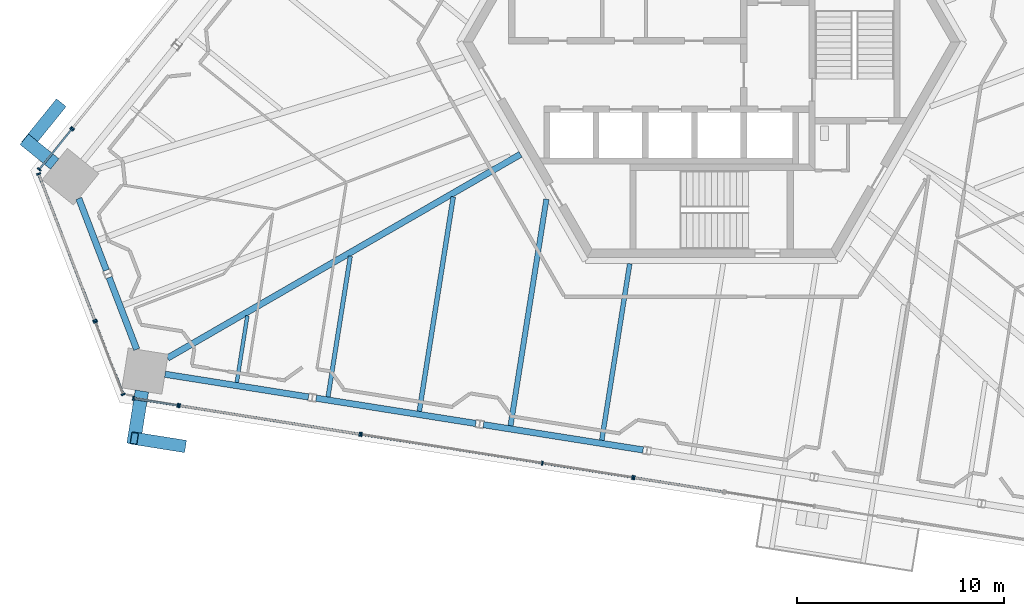
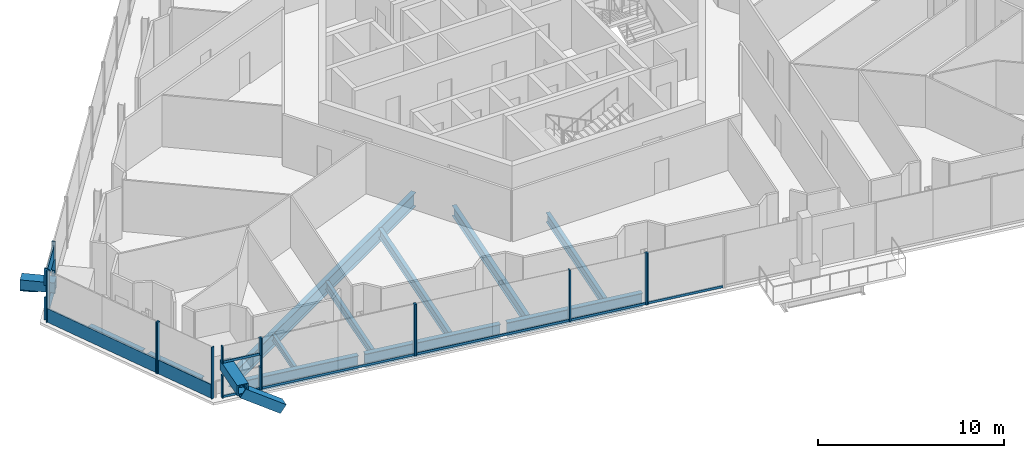
# One storey, part 4 of 23: 32 members, 11 beams, 10 elements without a shape of their own.
"""IFC4 building model written with IfcOpenShell, lengths in metres."""

from ifc_helpers import new_model, si_unit, direction, frame, origin, origin_2d, place, context, subcontext, project, spatial, rectangle, hollow_rectangle, i_section, extrude, source, transform, mapped, material, material_profile, profile_set, type_object, element, aggregate, save


model = new_model("IFC4")

# Units and contexts
model_context = context("Model", 3, precision=1e-05, world=origin(), true_north=direction((0.0, 1.0)))
body_context = subcontext(model_context, "Body", "Model", "MODEL_VIEW")
ifc_project = project(units=[si_unit("LENGTHUNIT", "METRE"), si_unit("AREAUNIT", "SQUARE_METRE"), si_unit("VOLUMEUNIT", "CUBIC_METRE"), si_unit("PLANEANGLEUNIT", "RADIAN"), si_unit("MASSUNIT", "GRAM", prefix="KILO")], contexts=[model_context])

# Site, building, storey
site_placement = place(None, origin())
site = spatial("IfcSite", under=ifc_project, at=site_placement, CompositionType="ELEMENT")
building_placement = place(site_placement, origin())
building = spatial("IfcBuilding", under=site, at=building_placement, Name="Triune Harvest Tower", CompositionType="ELEMENT")
storey_placement = place(building_placement, frame((0.0, 0.0, 171.300048828125)))
storey = spatial("IfcBuildingStorey", under=building, at=storey_placement, Name="L44", CompositionType="ELEMENT", Elevation=171.300048828125)

# Curtain wall, member
ifc_material_1 = material(Name="Aluminium bronze anodised", Category="aluminium")
curtain_wall_type_1 = type_object("IfcCurtainWallType", Name="CW-10 Balcony window wall with insulated spandrel infill", PredefinedType="NOTDEFINED", material=ifc_material_1)
curtain_wall_1_placement = place(storey_placement, origin())
curtain_wall_1 = element("IfcCurtainWall", 1, at=curtain_wall_1_placement, inside=storey, type_object=curtain_wall_type_1, Name="CW-10 B4-F5 L44 run 201")
ifc_material_2 = material(Name="Aluminium bronze anodised", Category="aluminium")
ifc_material_profile_1 = material_profile(ifc_material_2, rectangle(XDim=0.090087890625, YDim=0.14990234375, at=origin_2d()), Name="TR-6 transom 90 x 150")
ifc_profile_set_1 = profile_set([ifc_material_profile_1], Name="Aluminium bronze anodised")
member_type_1 = type_object("IfcMemberType", Name="TR-6 transom 90 x 150", PredefinedType="USERDEFINED", material=ifc_profile_set_1)
member_1_placement = place(storey_placement, frame((-25.64599609375, -17.554931640625, 0.074951171875), z_axis=(0.987691713813, -0.156413165895, 0.0), x_axis=(0.156413165895, 0.987691713813, 0.0)))
member_1 = element("IfcMember", 2, at=member_1_placement, type_object=member_type_1, Name="CW-10 transom B4-F5 201.1", ObjectType="TRANSOM", PredefinedType="USERDEFINED", context=body_context, shape_type="SweptSolid", body=[
    extrude(rectangle(XDim=0.090087890625, YDim=0.14990234375, at=origin_2d()), origin(), (0.0, 0.0, 1.0), 8.736083984375),
])

# Curtain wall, members
ifc_material_3 = material(Name="Aluminium bronze anodised", Category="aluminium")
curtain_wall_type_2 = type_object("IfcCurtainWallType", Name="CW-6 Balcony window wall", PredefinedType="NOTDEFINED", material=ifc_material_3)
curtain_wall_2_placement = place(storey_placement, origin())
curtain_wall_2 = element("IfcCurtainWall", 3, at=curtain_wall_2_placement, inside=storey, type_object=curtain_wall_type_2, Name="CW-6 B4-F5 L44 run 1201")
member_2_placement = place(storey_placement, frame((-16.869140625, -18.94482421875, 0.074951171875), z_axis=(0.987686358141, -0.156446981249, 0.0), x_axis=(0.156446981249, 0.987686358141, 0.0)))
member_2 = element("IfcMember", 4, at=member_2_placement, type_object=member_type_1, Name="CW-6 transom B4-F5 1201.1", ObjectType="TRANSOM", PredefinedType="USERDEFINED", context=body_context, shape_type="SweptSolid", body=[
    extrude(rectangle(XDim=0.090087890625, YDim=0.14990234375, at=origin_2d()), origin(), (0.0, 0.0, 1.0), 8.773193359375),
])
member_3_placement = place(storey_placement, frame((-8.129638671875, -20.3291015625, 0.074951171875), z_axis=(0.987686049616, -0.15644892903, 0.0), x_axis=(0.15644892903, 0.987686049616, 0.0)))
member_3 = element("IfcMember", 5, at=member_3_placement, type_object=member_type_1, Name="CW-6 transom B4-F5 1201.2", ObjectType="TRANSOM", PredefinedType="USERDEFINED", context=body_context, shape_type="SweptSolid", body=[
    extrude(rectangle(XDim=0.090087890625, YDim=0.14990234375, at=origin_2d()), origin(), (0.0, 0.0, 1.0), 4.330322265625),
])

# Beams
ifc_material_4 = material(Name="Steel ASTM A992 Gr 50", Category="steel")
ifc_material_profile_2 = material_profile(ifc_material_4, i_section(OverallWidth=0.3046875, OverallDepth=0.914306640625, WebThickness=0.0166015625, FlangeThickness=0.02587890625, at=origin_2d()), Name="W36x160")
ifc_profile_set_2 = profile_set([ifc_material_profile_2], Name="Steel ASTM A992 Gr 50")
beam_type_1 = type_object("IfcBeamType", Name="SB-1 Spandrel beam W36x160", PredefinedType="SPANDREL", material=ifc_profile_set_2)
shared_shape_1 = source(origin(), body_context, "Body", "SweptSolid", [
    extrude(i_section(OverallWidth=0.3046875, OverallDepth=0.914306640625, WebThickness=0.0166015625, FlangeThickness=0.02587890625, at=origin_2d()), origin(), (0.0, 0.0, 1.0), 7.013427734375),
])
beam_1_placement = place(storey_placement, frame((-26.3828125, -16.031982421875, -0.6171875), z_axis=(0.987682109987, -0.156473798484, 0.0), x_axis=(0.156473798484, 0.987682109987, 0.0)))
element("IfcBeam", 6, at=beam_1_placement, inside=storey, type_object=beam_type_1, Name="beam/L44/SB17", PredefinedType="SPANDREL", context=body_context, shape_type="MappedRepresentation", body=[
    mapped(shared_shape_1, transform((0.0, 0.0, 0.0), scale=1.0)),
])
shared_shape_2 = source(origin(), body_context, "Body", "SweptSolid", [
    extrude(i_section(OverallWidth=0.3046875, OverallDepth=0.914306640625, WebThickness=0.0166015625, FlangeThickness=0.02587890625, at=origin_2d()), origin(), (0.0, 0.0, 1.0), 3.71240234375),
])
beam_2_placement = place(storey_placement, frame((-30.5439453125, -7.548095703125, -0.6171875), z_axis=(0.358406131368, -0.933565768973, 0.0), x_axis=(0.933565768973, 0.358406131368, 0.0)))
element("IfcBeam", 7, at=beam_2_placement, inside=storey, type_object=beam_type_1, Name="beam/L44/SB15", PredefinedType="SPANDREL", context=body_context, shape_type="MappedRepresentation", body=[
    mapped(shared_shape_2, transform((0.0, 0.0, 0.0), scale=1.0)),
])
shared_shape_3 = source(origin(), body_context, "Body", "SweptSolid", [
    extrude(i_section(OverallWidth=0.3046875, OverallDepth=0.914306640625, WebThickness=0.0166015625, FlangeThickness=0.02587890625, at=origin_2d()), origin(), (0.0, 0.0, 1.0), 7.801513671875),
])
for number, where, z_axis, x_axis, name in (
    (8, (-19.087158203125, -17.187744140625, -0.6171875), (0.98768800071, -0.156436610974, 0.0), (0.156436610974, 0.98768800071, 0.0), "beam/L44/SB18"),
    (9, (-11.0126953125, -18.466552734375, -0.6171875), (0.98768800071, -0.156436610974, 0.0), (0.156436610974, 0.98768800071, 0.0), "beam/L44/SB19"),
):
    element("IfcBeam", number, at=place(storey_placement, frame(where, z_axis=z_axis, x_axis=x_axis)), inside=storey, type_object=beam_type_1, Name=name, PredefinedType="SPANDREL", context=body_context, shape_type="MappedRepresentation", body=[
        mapped(shared_shape_3, transform((0.0, 0.0, 0.0), scale=1.0)),
    ])
shared_shape_4 = source(origin(), body_context, "Body", "SweptSolid", [
    extrude(i_section(OverallWidth=0.3046875, OverallDepth=0.914306640625, WebThickness=0.0166015625, FlangeThickness=0.02587890625, at=origin_2d()), origin(), (0.0, 0.0, 1.0), 3.712646484375),
])
beam_3_placement = place(storey_placement, frame((-29.07958984375, -11.362548828125, -0.6171875), z_axis=(0.358326814132, -0.933596215863, 0.0), x_axis=(0.933596215863, 0.358326814132, 0.0)))
element("IfcBeam", 10, at=beam_3_placement, inside=storey, type_object=beam_type_1, Name="beam/L44/SB16", PredefinedType="SPANDREL", context=body_context, shape_type="MappedRepresentation", body=[
    mapped(shared_shape_4, transform((0.0, 0.0, 0.0), scale=1.0)),
])
ifc_material_5 = material(Name="Steel ASTM A992 Gr 50", Category="steel")
ifc_material_profile_3 = material_profile(ifc_material_5, i_section(OverallWidth=0.307373046875, OverallDepth=0.922119140625, WebThickness=0.018310546875, FlangeThickness=0.030029296875, at=origin_2d()), Name="W36x182")
ifc_profile_set_3 = profile_set([ifc_material_profile_3], Name="Steel ASTM A992 Gr 50")
beam_type_2 = type_object("IfcBeamType", Name="HG-2 Hip girder W36x182", PredefinedType="BEAM", material=ifc_profile_set_3)
shared_shape_5 = source(origin(), body_context, "Body", "SweptSolid", [
    extrude(i_section(OverallWidth=0.307373046875, OverallDepth=0.922119140625, WebThickness=0.018310546875, FlangeThickness=0.030029296875, at=origin_2d()), origin(), (0.0, 0.0, 1.0), 19.670166015625),
])
beam_4_placement = place(storey_placement, frame((-26.25927734375, -15.252197265625, -0.62109375), z_axis=(0.866028709221, 0.499994274773, 0.0), x_axis=(-0.499994274773, 0.866028709221, 0.0)))
element("IfcBeam", 11, at=beam_4_placement, inside=storey, type_object=beam_type_2, Name="beam/L44/HG6", PredefinedType="BEAM", context=body_context, shape_type="MappedRepresentation", body=[
    mapped(shared_shape_5, transform((0.0, 0.0, 0.0), scale=1.0)),
])
ifc_material_6 = material(Name="Steel ASTM A992 Gr 50", Category="steel")
ifc_material_profile_4 = material_profile(ifc_material_6, i_section(OverallWidth=0.2099609375, OverallDepth=0.535888671875, WebThickness=0.010986328125, FlangeThickness=0.017333984375, at=origin_2d()), Name="W21x68")
ifc_profile_set_4 = profile_set([ifc_material_profile_4], Name="Steel ASTM A992 Gr 50")
beam_type_3 = type_object("IfcBeamType", Name="JT-2 Floor joist W21x68", PredefinedType="JOIST", material=ifc_profile_set_4)
shared_shape_6 = source(origin(), body_context, "Body", "SweptSolid", [
    extrude(i_section(OverallWidth=0.2099609375, OverallDepth=0.535888671875, WebThickness=0.010986328125, FlangeThickness=0.017333984375, at=origin_2d()), origin(), (0.0, 0.0, 1.0), 6.871826171875),
])
beam_5_placement = place(storey_placement, frame((-18.513671875, -17.124267578125, -0.427978515625), z_axis=(0.156431434427, 0.987688820592, 0.0), x_axis=(-0.987688820592, 0.156431434427, 0.0)))
element("IfcBeam", 12, at=beam_5_placement, inside=storey, type_object=beam_type_3, Name="beam/L44/JT26", PredefinedType="JOIST", context=body_context, shape_type="MappedRepresentation", body=[
    mapped(shared_shape_6, transform((0.0, 0.0, 0.0), scale=1.0)),
])
ifc_material_7 = material(Name="Steel ASTM A992 Gr 50", Category="steel")
ifc_material_profile_5 = material_profile(ifc_material_7, i_section(OverallWidth=0.22900390625, OverallDepth=0.612060546875, WebThickness=0.011962890625, FlangeThickness=0.01953125, at=origin_2d()), Name="W24x84")
ifc_profile_set_5 = profile_set([ifc_material_profile_5], Name="Steel ASTM A992 Gr 50")
beam_type_4 = type_object("IfcBeamType", Name="JT-3 Floor joist W24x84", PredefinedType="JOIST", material=ifc_profile_set_5)
shared_shape_7 = source(origin(), body_context, "Body", "SweptSolid", [
    extrude(i_section(OverallWidth=0.22900390625, OverallDepth=0.612060546875, WebThickness=0.011962890625, FlangeThickness=0.01953125, at=origin_2d()), origin(), (0.0, 0.0, 1.0), 10.482666015625),
])
beam_6_placement = place(storey_placement, frame((-14.109375, -17.82177734375, -0.466064453125), z_axis=(0.156439750993, 0.987687503368, 0.0), x_axis=(-0.987687503368, 0.156439750993, 0.0)))
element("IfcBeam", 13, at=beam_6_placement, inside=storey, type_object=beam_type_4, Name="beam/L44/JT27", PredefinedType="JOIST", context=body_context, shape_type="MappedRepresentation", body=[
    mapped(shared_shape_7, transform((0.0, 0.0, 0.0), scale=1.0)),
])
ifc_material_8 = material(Name="Steel ASTM A992 Gr 50", Category="steel")
ifc_material_profile_6 = material_profile(ifc_material_8, i_section(OverallWidth=0.180908203125, OverallDepth=0.41650390625, WebThickness=0.010986328125, FlangeThickness=0.01806640625, at=origin_2d()), Name="W16x57")
ifc_profile_set_6 = profile_set([ifc_material_profile_6], Name="Steel ASTM A992 Gr 50")
beam_type_5 = type_object("IfcBeamType", Name="JT-1 Floor joist W16x57", PredefinedType="JOIST", material=ifc_profile_set_6)
shared_shape_8 = source(origin(), body_context, "Body", "SweptSolid", [
    extrude(i_section(OverallWidth=0.180908203125, OverallDepth=0.41650390625, WebThickness=0.010986328125, FlangeThickness=0.01806640625, at=origin_2d()), origin(), (0.0, 0.0, 1.0), 3.2607421875),
])
beam_7_placement = place(storey_placement, frame((-22.917724609375, -16.4267578125, -0.368408203125), z_axis=(0.156404699139, 0.987693054591, 0.0), x_axis=(-0.987693054591, 0.156404699139, 0.0)))
element("IfcBeam", 14, at=beam_7_placement, inside=storey, type_object=beam_type_5, Name="beam/L44/JT25", PredefinedType="JOIST", context=body_context, shape_type="MappedRepresentation", body=[
    mapped(shared_shape_8, transform((0.0, 0.0, 0.0), scale=1.0)),
])
ifc_material_9 = material(Name="Steel ASTM A992 Gr 50", Category="steel")
ifc_material_profile_7 = material_profile(ifc_material_9, i_section(OverallWidth=0.253662109375, OverallDepth=0.683349609375, WebThickness=0.012451171875, FlangeThickness=0.01904296875, at=origin_2d()), Name="W27x94")
ifc_profile_set_7 = profile_set([ifc_material_profile_7], Name="Steel ASTM A992 Gr 50")
beam_type_6 = type_object("IfcBeamType", Name="JT-4 Floor joist W27x94", PredefinedType="JOIST", material=ifc_profile_set_7)
shared_shape_9 = source(origin(), body_context, "Body", "SweptSolid", [
    extrude(i_section(OverallWidth=0.253662109375, OverallDepth=0.683349609375, WebThickness=0.012451171875, FlangeThickness=0.01904296875, at=origin_2d()), origin(), (0.0, 0.0, 1.0), 11.0712890625),
])
beam_8_placement = place(storey_placement, frame((-9.705078125, -18.519287109375, -0.501708984375), z_axis=(0.156433624309, 0.987688473753, 0.0), x_axis=(-0.987688473753, 0.156433624309, 0.0)))
element("IfcBeam", 15, at=beam_8_placement, inside=storey, type_object=beam_type_6, Name="beam/L44/JT28", PredefinedType="JOIST", context=body_context, shape_type="MappedRepresentation", body=[
    mapped(shared_shape_9, transform((0.0, 0.0, 0.0), scale=1.0)),
])
shared_shape_10 = source(origin(), body_context, "Body", "SweptSolid", [
    extrude(i_section(OverallWidth=0.22900390625, OverallDepth=0.612060546875, WebThickness=0.011962890625, FlangeThickness=0.01953125, at=origin_2d()), origin(), (0.0, 0.0, 1.0), 8.6259765625),
])
beam_9_placement = place(storey_placement, frame((-5.301025390625, -19.216796875, -0.466064453125), z_axis=(0.156430549504, 0.987688960747, 0.0), x_axis=(-0.987688960747, 0.156430549504, 0.0)))
element("IfcBeam", 16, at=beam_9_placement, inside=storey, type_object=beam_type_4, Name="beam/L44/JT29", PredefinedType="JOIST", context=body_context, shape_type="MappedRepresentation", body=[
    mapped(shared_shape_10, transform((0.0, 0.0, 0.0), scale=1.0)),
])

# Members
ifc_material_10 = material(Name="Steel ASTM A572 Gr 50", Category="steel")
ifc_material_profile_8 = material_profile(ifc_material_10, hollow_rectangle(XDim=0.60009765625, YDim=0.60009765625, WallThickness=0.0400390625, at=origin_2d()), Name="Box 600x600x40")
ifc_profile_set_8 = profile_set([ifc_material_profile_8], Name="Steel ASTM A572 Gr 50")
member_type_2 = type_object("IfcMemberType", Name="BR-2 Brace Box 600x600x40", PredefinedType="BRACE", material=ifc_profile_set_8)
shared_shape_11 = source(origin(), body_context, "Body", "SweptSolid", [
    extrude(hollow_rectangle(XDim=0.60009765625, YDim=0.60009765625, WallThickness=0.0400390625, at=origin_2d()), origin(), (0.0, 0.0, 1.0), 2.832763671875),
])
for number, where, z_axis, x_axis, name in (
    (17, (-31.492919921875, -3.057373046875, 0.0), (-0.517625746105, -0.639146275909, 0.568819501214), (0.777113078269, -0.629360996236, 0.0), "brace/B4-F3/d1/10"),
    (18, (-25.55908203125, -19.4921875, 0.0), (-0.812349210694, 0.128669358324, 0.568799574642), (-0.156441443071, -0.987687235358, 0.0), "brace/B4-F5/d2/10"),
):
    element("IfcMember", number, at=place(storey_placement, frame(where, z_axis=z_axis, x_axis=x_axis)), inside=storey, type_object=member_type_2, Name=name, PredefinedType="BRACE", context=body_context, shape_type="MappedRepresentation", body=[
        mapped(shared_shape_11, transform((0.0, 0.0, 0.0), scale=1.0)),
    ])
ifc_material_11 = material(Name="Steel ASTM A572 Gr 50", Category="steel")
ifc_material_profile_9 = material_profile(ifc_material_11, hollow_rectangle(XDim=0.64990234375, YDim=0.64990234375, WallThickness=0.070068359375, at=origin_2d()), Name="Box 650x650x70")
ifc_profile_set_9 = profile_set([ifc_material_profile_9], Name="Steel ASTM A572 Gr 50")
member_type_3 = type_object("IfcMemberType", Name="BS-1 Brace stub Box 650x650x70", PredefinedType="STRUT", material=ifc_profile_set_9)
shared_shape_12 = source(origin(), body_context, "Body", "SweptSolid", [
    extrude(hollow_rectangle(XDim=0.64990234375, YDim=0.64990234375, WallThickness=0.070068359375, at=origin_2d()), origin(), (0.0, 0.0, 1.0), 2.59375),
])
member_4_placement = place(storey_placement, frame((-27.498291015625, -16.842529296875, 1.875), z_axis=(-0.156441082631, -0.987687292449, 0.0), x_axis=(0.987687292449, -0.156441082631, 0.0)))
element("IfcMember", 19, at=member_4_placement, inside=storey, type_object=member_type_3, Name="brace/B4-F5/stub4", PredefinedType="STRUT", context=body_context, shape_type="MappedRepresentation", body=[
    mapped(shared_shape_12, transform((0.0, 0.0, 0.0), scale=1.0)),
])
shared_shape_13 = source(origin(), body_context, "Body", "SweptSolid", [
    extrude(hollow_rectangle(XDim=0.64990234375, YDim=0.64990234375, WallThickness=0.070068359375, at=origin_2d()), origin(), (0.0, 0.0, 1.0), 1.8935546875),
])
member_5_placement = place(storey_placement, frame((-31.705078125, -5.883544921875, 1.875), z_axis=(-0.777169805145, 0.629290945407, 0.0), x_axis=(-0.629290945407, -0.777169805145, 0.0)))
element("IfcMember", 20, at=member_5_placement, inside=storey, type_object=member_type_3, Name="brace/B4-F3/stub2", PredefinedType="STRUT", context=body_context, shape_type="MappedRepresentation", body=[
    mapped(shared_shape_13, transform((0.0, 0.0, 0.0), scale=1.0)),
])

# Curtain wall, members
curtain_wall_3_placement = place(storey_placement, origin())
curtain_wall_3 = element("IfcCurtainWall", 21, at=curtain_wall_3_placement, inside=storey, type_object=curtain_wall_type_2, Name="CW-6 B4-F5 L44 run 101")
ifc_material_12 = material(Name="Aluminium bronze anodised", Category="aluminium")
ifc_material_profile_10 = material_profile(ifc_material_12, rectangle(XDim=0.199951171875, YDim=0.074951171875, at=origin_2d()), Name="MU-6 mullion 75 x 200")
ifc_profile_set_10 = profile_set([ifc_material_profile_10], Name="Aluminium bronze anodised")
member_type_4 = type_object("IfcMemberType", Name="MU-6 mullion 75 x 200", PredefinedType="MULLION", material=ifc_profile_set_10)
shared_shape_14 = source(origin(), body_context, "Body", "SweptSolid", [
    extrude(rectangle(XDim=0.199951171875, YDim=0.074951171875, at=origin_2d()), origin(), (0.0, 0.0, 1.0), 1.114990234375),
])
member_6_placement = place(storey_placement, frame((-27.90625, -17.19677734375, 2.260009765625), z_axis=(0.0, 0.0, 1.0), x_axis=(0.156418808887, 0.987690820159, 0.0)))
member_6 = element("IfcMember", 22, at=member_6_placement, type_object=member_type_4, Name="CW-6 mullion B4-F5 101.1", PredefinedType="MULLION", context=body_context, shape_type="MappedRepresentation", body=[
    mapped(shared_shape_14, transform((0.0, 0.0, 0.0), scale=1.0)),
])
member_7_placement = place(storey_placement, frame((-25.757080078125, -17.537353515625, 2.260009765625), z_axis=(0.0, 0.0, 1.0), x_axis=(0.156418808887, 0.987690820159, 0.0)))
member_7 = element("IfcMember", 23, at=member_7_placement, type_object=member_type_4, Name="CW-6 mullion B4-F5 101.2", PredefinedType="MULLION", context=body_context, shape_type="MappedRepresentation", body=[
    mapped(shared_shape_14, transform((0.0, 0.0, 0.0), scale=1.0)),
])

# Curtain wall, member
ifc_material_13 = material(Name="Aluminium bronze anodised", Category="aluminium")
curtain_wall_type_3 = type_object("IfcCurtainWallType", Name="CW-1 Tower stick curtain wall", PredefinedType="NOTDEFINED", material=ifc_material_13)
curtain_wall_4_placement = place(storey_placement, origin())
curtain_wall_4 = element("IfcCurtainWall", 24, at=curtain_wall_4_placement, inside=storey, type_object=curtain_wall_type_3, Name="CW-1 B4-F3 L44 run 401")
ifc_material_14 = material(Name="Aluminium bronze anodised", Category="aluminium")
ifc_material_profile_11 = material_profile(ifc_material_14, rectangle(XDim=0.199951171875, YDim=0.074951171875, at=origin_2d()), Name="MU-1 mullion 75 x 200")
ifc_profile_set_11 = profile_set([ifc_material_profile_11], Name="Aluminium bronze anodised")
member_type_5 = type_object("IfcMemberType", Name="MU-1 mullion 75 x 200", PredefinedType="MULLION", material=ifc_profile_set_11)
shared_shape_15 = source(origin(), body_context, "Body", "SweptSolid", [
    extrude(rectangle(XDim=0.199951171875, YDim=0.074951171875, at=origin_2d()), origin(), (0.0, 0.0, 1.0), 1.114990234375),
])
member_8_placement = place(storey_placement, frame((-32.451171875, -6.147216796875, 2.260009765625), z_axis=(0.0, 0.0, 1.0), x_axis=(0.777142972549, -0.629324082026, 0.0)))
member_8 = element("IfcMember", 25, at=member_8_placement, type_object=member_type_5, Name="CW-1 mullion B4-F3 401.2", PredefinedType="MULLION", context=body_context, shape_type="MappedRepresentation", body=[
    mapped(shared_shape_15, transform((0.0, 0.0, 0.0), scale=1.0)),
])

# Curtain wall, members
curtain_wall_5_placement = place(storey_placement, origin())
curtain_wall_5 = element("IfcCurtainWall", 26, at=curtain_wall_5_placement, inside=storey, type_object=curtain_wall_type_1, Name="CW-10 B4-F5 L44 run 1")
shared_shape_16 = source(origin(), body_context, "Body", "SweptSolid", [
    extrude(rectangle(XDim=0.199951171875, YDim=0.074951171875, at=origin_2d()), origin(), (0.0, 0.0, 1.0), 1.489990234375),
])
member_9_placement = place(storey_placement, frame((-27.90625, -17.19677734375, 0.0), z_axis=(0.0, 0.0, 1.0), x_axis=(0.156418808887, 0.987690820159, 0.0)))
member_9 = element("IfcMember", 27, at=member_9_placement, type_object=member_type_4, Name="CW-10 mullion B4-F5 1.1", PredefinedType="MULLION", context=body_context, shape_type="MappedRepresentation", body=[
    mapped(shared_shape_16, transform((0.0, 0.0, 0.0), scale=1.0)),
])
member_10_placement = place(storey_placement, frame((-25.757080078125, -17.537353515625, 0.0), z_axis=(0.0, 0.0, 1.0), x_axis=(0.156418808887, 0.987690820159, 0.0)))
member_10 = element("IfcMember", 28, at=member_10_placement, type_object=member_type_4, Name="CW-10 mullion B4-F5 1.2", PredefinedType="MULLION", context=body_context, shape_type="MappedRepresentation", body=[
    mapped(shared_shape_16, transform((0.0, 0.0, 0.0), scale=1.0)),
])

# Member
shared_shape_17 = source(origin(), body_context, "Body", "SweptSolid", [
    extrude(rectangle(XDim=0.199951171875, YDim=0.074951171875, at=origin_2d()), origin(), (0.0, 0.0, 1.0), 3.375),
])
member_11_placement = place(storey_placement, frame((-25.682861328125, -17.549072265625, 0.0), z_axis=(0.0, 0.0, 1.0), x_axis=(0.156435264541, 0.987688213966, 0.0)))
member_11 = element("IfcMember", 29, at=member_11_placement, type_object=member_type_4, Name="CW-10 mullion B4-F5 201.1", PredefinedType="MULLION", context=body_context, shape_type="MappedRepresentation", body=[
    mapped(shared_shape_17, transform((0.0, 0.0, 0.0), scale=1.0)),
])

member_12_placement = place(storey_placement, frame((-16.980224609375, -18.92724609375, 0.0), z_axis=(0.0, 0.0, 1.0), x_axis=(0.156435264541, 0.987688213966, 0.0)))
member_12 = element("IfcMember", 30, at=member_12_placement, type_object=member_type_4, Name="CW-10 mullion B4-F5 201.3", PredefinedType="MULLION", context=body_context, shape_type="MappedRepresentation", body=[
    mapped(shared_shape_17, transform((0.0, 0.0, 0.0), scale=1.0)),
])

aggregate(curtain_wall_1, [member_11, member_12, member_1])

member_13_placement = place(storey_placement, frame((-16.90625, -18.93896484375, 0.0), z_axis=(0.0, 0.0, 1.0), x_axis=(0.156440662747, 0.987687358955, 0.0)))
member_13 = element("IfcMember", 31, at=member_13_placement, type_object=member_type_4, Name="CW-6 mullion B4-F5 1201.1", PredefinedType="MULLION", context=body_context, shape_type="MappedRepresentation", body=[
    mapped(shared_shape_17, transform((0.0, 0.0, 0.0), scale=1.0)),
])

member_14_placement = place(storey_placement, frame((-8.166748046875, -20.3232421875, 0.0), z_axis=(0.0, 0.0, 1.0), x_axis=(0.156440662747, 0.987687358955, 0.0)))
member_14 = element("IfcMember", 32, at=member_14_placement, type_object=member_type_4, Name="CW-6 mullion B4-F5 1201.3", PredefinedType="MULLION", context=body_context, shape_type="MappedRepresentation", body=[
    mapped(shared_shape_17, transform((0.0, 0.0, 0.0), scale=1.0)),
])

member_15_placement = place(storey_placement, frame((-3.8154296875, -21.012451171875, 0.0), z_axis=(0.0, 0.0, 1.0), x_axis=(0.156440662747, 0.987687358955, 0.0)))
member_15 = element("IfcMember", 33, at=member_15_placement, type_object=member_type_4, Name="CW-6 mullion B4-F5 1201.4", PredefinedType="MULLION", context=body_context, shape_type="MappedRepresentation", body=[
    mapped(shared_shape_17, transform((0.0, 0.0, 0.0), scale=1.0)),
])

aggregate(curtain_wall_2, [member_13, member_14, member_15, member_2, member_3])

# Curtain wall, member
curtain_wall_6_placement = place(storey_placement, origin())
curtain_wall_6 = element("IfcCurtainWall", 34, at=curtain_wall_6_placement, inside=storey, type_object=curtain_wall_type_1, Name="CW-10 B4-F5 L44 run 2201")
member_16_placement = place(storey_placement, frame((-3.741455078125, -21.024169921875, 0.0), z_axis=(0.0, 0.0, 1.0), x_axis=(0.156422547734, 0.987690228037, 0.0)))
member_16 = element("IfcMember", 35, at=member_16_placement, type_object=member_type_4, Name="CW-10 mullion B4-F5 2201.1", PredefinedType="MULLION", context=body_context, shape_type="MappedRepresentation", body=[
    mapped(shared_shape_17, transform((0.0, 0.0, 0.0), scale=1.0)),
])

ifc_material_15 = material(Name="Aluminium bronze anodised", Category="aluminium")
curtain_wall_type_4 = type_object("IfcCurtainWallType", Name="CW-7 Tower stick curtain wall with insulated spandrel infill", PredefinedType="NOTDEFINED", material=ifc_material_15)
curtain_wall_7_placement = place(storey_placement, origin())
curtain_wall_7 = element("IfcCurtainWall", 36, at=curtain_wall_7_placement, inside=storey, type_object=curtain_wall_type_4, Name="CW-7 B4-F3 L44 run 4201")
shared_shape_18 = source(origin(), body_context, "Body", "SweptSolid", [
    extrude(rectangle(XDim=0.199951171875, YDim=0.074951171875, at=origin_2d()), origin(), (0.0, 0.0, 1.0), 3.375),
])
member_17_placement = place(storey_placement, frame((-30.840087890625, -4.15771484375, 0.0), z_axis=(0.0, 0.0, 1.0), x_axis=(0.777146919225, -0.629319208303, 0.0)))
member_17 = element("IfcMember", 37, at=member_17_placement, type_object=member_type_5, Name="CW-7 mullion B4-F3 4201.4", PredefinedType="MULLION", context=body_context, shape_type="MappedRepresentation", body=[
    mapped(shared_shape_18, transform((0.0, 0.0, 0.0), scale=1.0)),
])
aggregate(curtain_wall_7, [member_17])

# Curtain wall, members
curtain_wall_8_placement = place(storey_placement, origin())
curtain_wall_8 = element("IfcCurtainWall", 38, at=curtain_wall_8_placement, inside=storey, type_object=curtain_wall_type_4, Name="CW-7 B4-F4 L44 run 1")
member_18_placement = place(storey_placement, frame((-32.485595703125, -6.365234375, 0.0), z_axis=(0.0, 0.0, 1.0), x_axis=(0.933582881933, 0.35836155285, 0.0)))
member_18 = element("IfcMember", 39, at=member_18_placement, type_object=member_type_5, Name="CW-7 mullion B4-F4 1.1", PredefinedType="MULLION", context=body_context, shape_type="MappedRepresentation", body=[
    mapped(shared_shape_18, transform((0.0, 0.0, 0.0), scale=1.0)),
])
member_19_placement = place(storey_placement, frame((-29.771240234375, -13.436279296875, 0.0), z_axis=(0.0, 0.0, 1.0), x_axis=(0.933582881933, 0.35836155285, 0.0)))
member_19 = element("IfcMember", 40, at=member_19_placement, type_object=member_type_5, Name="CW-7 mullion B4-F4 1.3", PredefinedType="MULLION", context=body_context, shape_type="MappedRepresentation", body=[
    mapped(shared_shape_18, transform((0.0, 0.0, 0.0), scale=1.0)),
])

curtain_wall_9_placement = place(storey_placement, origin())
curtain_wall_9 = element("IfcCurtainWall", 41, at=curtain_wall_9_placement, inside=storey, type_object=curtain_wall_type_3, Name="CW-1 B4-F4 L44 run 1001")
member_20_placement = place(storey_placement, frame((-29.744384765625, -13.50634765625, 0.0), z_axis=(0.0, 0.0, 1.0), x_axis=(0.93357440915, 0.358383624878, 0.0)))
member_20 = element("IfcMember", 42, at=member_20_placement, type_object=member_type_5, Name="CW-1 mullion B4-F4 1001.1", PredefinedType="MULLION", context=body_context, shape_type="MappedRepresentation", body=[
    mapped(shared_shape_18, transform((0.0, 0.0, 0.0), scale=1.0)),
])
member_21_placement = place(storey_placement, frame((-28.400634765625, -17.0068359375, 0.0), z_axis=(0.0, 0.0, 1.0), x_axis=(0.93357440915, 0.358383624878, 0.0)))
member_21 = element("IfcMember", 43, at=member_21_placement, type_object=member_type_5, Name="CW-1 mullion B4-F4 1001.2", PredefinedType="MULLION", context=body_context, shape_type="MappedRepresentation", body=[
    mapped(shared_shape_18, transform((0.0, 0.0, 0.0), scale=1.0)),
])
ifc_material_16 = material(Name="Aluminium bronze anodised", Category="aluminium")
ifc_material_profile_12 = material_profile(ifc_material_16, rectangle(XDim=0.090087890625, YDim=0.89990234375, at=origin_2d()), Name="TR-1 transom 90 x 900")
ifc_profile_set_12 = profile_set([ifc_material_profile_12], Name="Aluminium bronze anodised")
member_type_6 = type_object("IfcMemberType", Name="TR-1 transom 90 x 900", PredefinedType="USERDEFINED", material=ifc_profile_set_12)
shared_shape_19 = source(origin(), body_context, "Body", "SweptSolid", [
    extrude(rectangle(XDim=0.090087890625, YDim=0.89990234375, at=origin_2d()), origin(), (0.0, 0.0, 1.0), 3.674560546875),
])
member_22_placement = place(storey_placement, frame((-29.73095703125, -13.541259765625, 0.449951171875), z_axis=(0.358386853437, -0.933573169753, 0.0), x_axis=(0.933573169753, 0.358386853437, 0.0)))
member_22 = element("IfcMember", 44, at=member_22_placement, type_object=member_type_6, Name="CW-1 transom B4-F4 1001.1", ObjectType="TRANSOM", PredefinedType="USERDEFINED", context=body_context, shape_type="MappedRepresentation", body=[
    mapped(shared_shape_19, transform((0.0, 0.0, 0.0), scale=1.0)),
])
aggregate(curtain_wall_9, [member_20, member_21, member_22])

curtain_wall_10_placement = place(storey_placement, origin())
curtain_wall_10 = element("IfcCurtainWall", 45, at=curtain_wall_10_placement, inside=storey, type_object=curtain_wall_type_4, Name="CW-7 B4-F3 L44 run 301")
shared_shape_20 = source(origin(), body_context, "Body", "SweptSolid", [
    extrude(rectangle(XDim=0.199951171875, YDim=0.074951171875, at=origin_2d()), origin(), (0.0, 0.0, 1.0), 1.489990234375),
])
member_23_placement = place(storey_placement, frame((-30.88720703125, -4.216064453125, 0.0), z_axis=(0.0, 0.0, 1.0), x_axis=(0.777142972549, -0.629324082026, 0.0)))
member_23 = element("IfcMember", 46, at=member_23_placement, type_object=member_type_5, Name="CW-7 mullion B4-F3 301.1", PredefinedType="MULLION", context=body_context, shape_type="MappedRepresentation", body=[
    mapped(shared_shape_20, transform((0.0, 0.0, 0.0), scale=1.0)),
])
member_24_placement = place(storey_placement, frame((-32.451171875, -6.147216796875, 0.0), z_axis=(0.0, 0.0, 1.0), x_axis=(0.777142972549, -0.629324082026, 0.0)))
member_24 = element("IfcMember", 47, at=member_24_placement, type_object=member_type_5, Name="CW-7 mullion B4-F3 301.2", PredefinedType="MULLION", context=body_context, shape_type="MappedRepresentation", body=[
    mapped(shared_shape_20, transform((0.0, 0.0, 0.0), scale=1.0)),
])
shared_shape_21 = source(origin(), body_context, "Body", "SweptSolid", [
    extrude(rectangle(XDim=0.090087890625, YDim=0.89990234375, at=origin_2d()), origin(), (0.0, 0.0, 1.0), 2.409912109375),
])
member_25_placement = place(storey_placement, frame((-30.910888671875, -4.2451171875, 0.449951171875), z_axis=(-0.629329365847, -0.777138693724, 0.0), x_axis=(0.777138693724, -0.629329365847, 0.0)))
member_25 = element("IfcMember", 48, at=member_25_placement, type_object=member_type_6, Name="CW-7 transom B4-F3 301.1", ObjectType="TRANSOM", PredefinedType="USERDEFINED", context=body_context, shape_type="MappedRepresentation", body=[
    mapped(shared_shape_21, transform((0.0, 0.0, 0.0), scale=1.0)),
])
aggregate(curtain_wall_10, [member_23, member_24, member_25])

# Member
member_26_placement = place(storey_placement, frame((-30.910888671875, -4.2451171875, 2.7099609375), z_axis=(-0.629329365847, -0.777138693724, 0.0), x_axis=(0.777138693724, -0.629329365847, 0.0)))
member_26 = element("IfcMember", 49, at=member_26_placement, type_object=member_type_6, Name="CW-1 transom B4-F3 401.1", ObjectType="TRANSOM", PredefinedType="USERDEFINED", context=body_context, shape_type="MappedRepresentation", body=[
    mapped(shared_shape_21, transform((0.0, 0.0, 0.0), scale=1.0)),
])

aggregate(curtain_wall_4, [member_8, member_26])

shared_shape_22 = source(origin(), body_context, "Body", "SweptSolid", [
    extrude(rectangle(XDim=0.090087890625, YDim=0.89990234375, at=origin_2d()), origin(), (0.0, 0.0, 1.0), 7.499267578125),
])
member_27_placement = place(storey_placement, frame((-32.47216796875, -6.400146484375, 0.449951171875), z_axis=(0.358365993642, -0.933581177296, 0.0), x_axis=(0.933581177296, 0.358365993642, 0.0)))
member_27 = element("IfcMember", 50, at=member_27_placement, type_object=member_type_6, Name="CW-7 transom B4-F4 1.1", ObjectType="TRANSOM", PredefinedType="USERDEFINED", context=body_context, shape_type="MappedRepresentation", body=[
    mapped(shared_shape_22, transform((0.0, 0.0, 0.0), scale=1.0)),
])

aggregate(curtain_wall_8, [member_18, member_19, member_27])

shared_shape_23 = source(origin(), body_context, "Body", "SweptSolid", [
    extrude(rectangle(XDim=0.090087890625, YDim=0.14990234375, at=origin_2d()), origin(), (0.0, 0.0, 1.0), 2.100830078125),
])
member_28_placement = place(storey_placement, frame((-27.869140625, -17.20263671875, 0.074951171875), z_axis=(0.987690304136, -0.156422067228, 0.0), x_axis=(0.156422067228, 0.987690304136, 0.0)))
member_28 = element("IfcMember", 51, at=member_28_placement, type_object=member_type_1, Name="CW-10 transom B4-F5 1.1", ObjectType="TRANSOM", PredefinedType="USERDEFINED", context=body_context, shape_type="MappedRepresentation", body=[
    mapped(shared_shape_23, transform((0.0, 0.0, 0.0), scale=1.0)),
])

aggregate(curtain_wall_5, [member_9, member_10, member_28])

member_29_placement = place(storey_placement, frame((-27.869140625, -17.20263671875, 2.3349609375), z_axis=(0.987690304136, -0.156422067228, 0.0), x_axis=(0.156422067228, 0.987690304136, 0.0)))
member_29 = element("IfcMember", 52, at=member_29_placement, type_object=member_type_1, Name="CW-6 transom B4-F5 101.1", ObjectType="TRANSOM", PredefinedType="USERDEFINED", context=body_context, shape_type="MappedRepresentation", body=[
    mapped(shared_shape_23, transform((0.0, 0.0, 0.0), scale=1.0)),
])

aggregate(curtain_wall_3, [member_6, member_7, member_29])

shared_shape_24 = source(origin(), body_context, "Body", "SweptSolid", [
    extrude(rectangle(XDim=0.090087890625, YDim=0.14990234375, at=origin_2d()), origin(), (0.0, 0.0, 1.0), 4.293212890625),
])
member_30_placement = place(storey_placement, frame((-3.704345703125, -21.030029296875, 0.074951171875), z_axis=(0.987686767385, -0.156444397575, 0.0), x_axis=(0.156444397575, 0.987686767385, 0.0)))
member_30 = element("IfcMember", 53, at=member_30_placement, type_object=member_type_1, Name="CW-10 transom B4-F5 2201.1", ObjectType="TRANSOM", PredefinedType="USERDEFINED", context=body_context, shape_type="MappedRepresentation", body=[
    mapped(shared_shape_24, transform((0.0, 0.0, 0.0), scale=1.0)),
])

aggregate(curtain_wall_6, [member_16, member_30])

save(model, "model.ifc")
